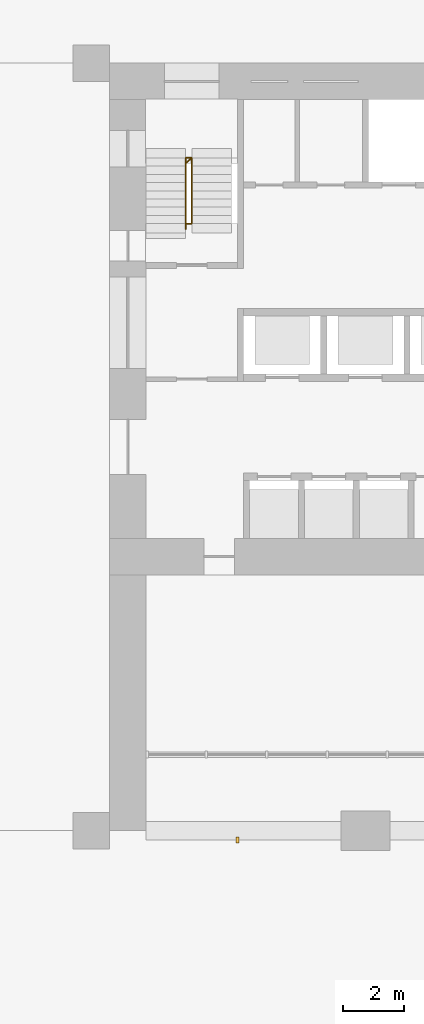
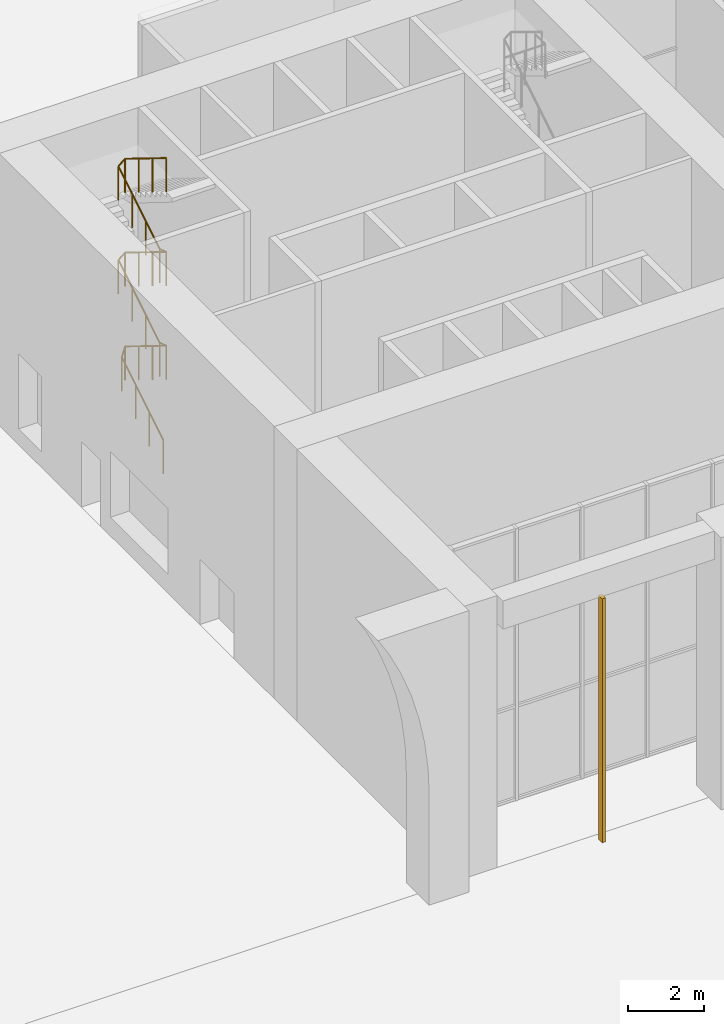
# One storey, part 35 of 46: 1 railing, 1 shading device.
"""IFC4 building model written with IfcOpenShell, lengths in metres."""

from ifc_helpers import new_model, si_unit, direction, frame, origin, origin_2d, place, context, subcontext, project, spatial, rectangle, circle, extrude, material, material_profile, profile_set, type_object, element, save


model = new_model("IFC4")

# Units and contexts
model_context = context("Model", 3, precision=1e-05, world=origin(), true_north=direction((0.0, 1.0)))
body_context = subcontext(model_context, "Body", "Model", "MODEL_VIEW")
ifc_project = project(units=[si_unit("LENGTHUNIT", "METRE"), si_unit("AREAUNIT", "SQUARE_METRE"), si_unit("VOLUMEUNIT", "CUBIC_METRE"), si_unit("PLANEANGLEUNIT", "RADIAN"), si_unit("MASSUNIT", "GRAM", prefix="KILO")], contexts=[model_context])

# Site, building, storey
site_placement = place(None, origin())
site = spatial("IfcSite", under=ifc_project, at=site_placement, CompositionType="ELEMENT")
building_placement = place(site_placement, origin())
building = spatial("IfcBuilding", under=site, at=building_placement, Name="Vermilion Gate Residences", CompositionType="ELEMENT")
storey_placement = place(building_placement, origin())
storey = spatial("IfcBuildingStorey", under=building, at=storey_placement, Name="L00", CompositionType="ELEMENT", Elevation=0.0)

# Railing
ifc_material_1 = material(Name="Steel S355", Category="steel")
railing_type = type_object("IfcRailingType", Name="STAIR GUARD 1100 STEEL", PredefinedType="GUARDRAIL", material=ifc_material_1)
railing_placement = place(storey_placement, frame((44.5, 19.75, 0.166748046875)))
element("IfcRailing", 1, at=railing_placement, inside=storey, type_object=railing_type, Name="Stair well guard STA1-00", PredefinedType="GUARDRAIL", context=body_context, shape_type="SweptSolid", body=[
    extrude(circle(Radius=0.02392578125, at=origin_2d()), frame((0.0, 0.0, 1.076171875), z_axis=(0.0, 0.850940886938, 0.525261465307), x_axis=(-1.0, 0.0, 0.0)), (0.0, 0.0, 1.0), 2.538330078125),
    extrude(circle(Radius=0.02392578125, at=origin_2d()), frame((0.0, 2.159912109375, 2.4091796875), z_axis=(0.631516338624, 0.56905867876, 0.52664915663), x_axis=(-0.669415636384, 0.74288808428, 0.0)), (0.0, 0.0, 1.0), 0.316650390625),
    extrude(circle(Radius=0.02392578125, at=origin_2d()), frame((0.199951171875, 2.340087890625, 2.576171875), z_axis=(0.0, -0.850967420841, 0.525218477081), x_axis=(1.0, 0.0, 0.0)), (0.0, 0.0, 1.0), 2.53857421875),
    extrude(circle(Radius=0.02392578125, at=origin_2d()), frame((0.199951171875, 0.179931640625, 3.9091796875), z_axis=(-0.767990643491, 0.0, 0.640461061666), x_axis=(0.0, -1.0, 0.0)), (0.0, 0.0, 1.0), 0.26025390625),
    extrude(circle(Radius=0.02392578125, at=origin_2d()), frame((0.0, 0.179931640625, 4.076171875), z_axis=(0.0, 0.850967420841, 0.525218477081), x_axis=(-1.0, 0.0, 0.0)), (0.0, 0.0, 1.0), 2.53857421875),
    extrude(circle(Radius=0.02392578125, at=origin_2d()), frame((0.0, 2.340087890625, 5.4091796875), z_axis=(0.767990643491, 0.0, 0.640461061666), x_axis=(0.0, 1.0, 0.0)), (0.0, 0.0, 1.0), 0.26025390625),
    extrude(circle(Radius=0.02392578125, at=origin_2d()), frame((0.199951171875, 2.340087890625, 5.576171875), z_axis=(0.0, -0.850967420841, 0.525218477081), x_axis=(1.0, 0.0, 0.0)), (0.0, 0.0, 1.0), 2.53857421875),
    extrude(circle(Radius=0.02392578125, at=origin_2d()), frame((0.199951171875, 0.179931640625, 6.9091796875), z_axis=(-0.767990643491, 0.0, 0.640461061666), x_axis=(0.0, -1.0, 0.0)), (0.0, 0.0, 1.0), 0.26025390625),
    extrude(circle(Radius=0.02392578125, at=origin_2d()), frame((0.0, 0.179931640625, 7.076171875), z_axis=(0.0, 0.850967420841, 0.525218477081), x_axis=(-1.0, 0.0, 0.0)), (0.0, 0.0, 1.0), 2.53857421875),
    extrude(circle(Radius=0.02392578125, at=origin_2d()), frame((0.0, 2.340087890625, 8.4091796875), z_axis=(0.767990643491, 0.0, 0.640461061666), x_axis=(0.0, 1.0, 0.0)), (0.0, 0.0, 1.0), 0.26025390625),
    extrude(circle(Radius=0.02392578125, at=origin_2d()), frame((0.199951171875, 2.340087890625, 8.576171875), z_axis=(0.0, -0.850967420841, 0.525218477081), x_axis=(1.0, 0.0, 0.0)), (0.0, 0.0, 1.0), 2.53857421875),
    extrude(circle(Radius=0.02099609375, at=origin_2d()), origin(), (0.0, 0.0, 1.0), 1.052001953125),
    extrude(circle(Radius=0.02099609375, at=origin_2d()), frame((0.0, 0.719970703125, 0.4443359375)), (0.0, 0.0, 1.0), 1.052001953125),
    extrude(circle(Radius=0.02099609375, at=origin_2d()), frame((0.0, 1.43994140625, 0.888916015625)), (0.0, 0.0, 1.0), 1.052001953125),
    extrude(circle(Radius=0.02099609375, at=origin_2d()), frame((0.0, 2.159912109375, 1.333251953125)), (0.0, 0.0, 1.0), 1.052001953125),
    extrude(circle(Radius=0.02099609375, at=origin_2d()), frame((0.199951171875, 2.340087890625, 1.5)), (0.0, 0.0, 1.0), 1.052001953125),
    extrude(circle(Radius=0.02099609375, at=origin_2d()), frame((0.199951171875, 1.6201171875, 1.9443359375)), (0.0, 0.0, 1.0), 1.052001953125),
    extrude(circle(Radius=0.02099609375, at=origin_2d()), frame((0.199951171875, 0.89990234375, 2.388916015625)), (0.0, 0.0, 1.0), 1.052001953125),
    extrude(circle(Radius=0.02099609375, at=origin_2d()), frame((0.199951171875, 0.179931640625, 2.833251953125)), (0.0, 0.0, 1.0), 1.052001953125),
    extrude(circle(Radius=0.02099609375, at=origin_2d()), frame((0.0, 0.179931640625, 3.0)), (0.0, 0.0, 1.0), 1.052001953125),
    extrude(circle(Radius=0.02099609375, at=origin_2d()), frame((0.0, 0.89990234375, 3.4443359375)), (0.0, 0.0, 1.0), 1.052001953125),
    extrude(circle(Radius=0.02099609375, at=origin_2d()), frame((0.0, 1.6201171875, 3.888916015625)), (0.0, 0.0, 1.0), 1.052001953125),
    extrude(circle(Radius=0.02099609375, at=origin_2d()), frame((0.0, 2.340087890625, 4.333251953125)), (0.0, 0.0, 1.0), 1.052001953125),
    extrude(circle(Radius=0.02099609375, at=origin_2d()), frame((0.199951171875, 2.340087890625, 4.5)), (0.0, 0.0, 1.0), 1.052001953125),
    extrude(circle(Radius=0.02099609375, at=origin_2d()), frame((0.199951171875, 1.6201171875, 4.9443359375)), (0.0, 0.0, 1.0), 1.052001953125),
    extrude(circle(Radius=0.02099609375, at=origin_2d()), frame((0.199951171875, 0.89990234375, 5.388916015625)), (0.0, 0.0, 1.0), 1.052001953125),
    extrude(circle(Radius=0.02099609375, at=origin_2d()), frame((0.199951171875, 0.179931640625, 5.833251953125)), (0.0, 0.0, 1.0), 1.052001953125),
    extrude(circle(Radius=0.02099609375, at=origin_2d()), frame((0.0, 0.179931640625, 6.0)), (0.0, 0.0, 1.0), 1.052001953125),
    extrude(circle(Radius=0.02099609375, at=origin_2d()), frame((0.0, 0.89990234375, 6.4443359375)), (0.0, 0.0, 1.0), 1.052001953125),
    extrude(circle(Radius=0.02099609375, at=origin_2d()), frame((0.0, 1.6201171875, 6.888916015625)), (0.0, 0.0, 1.0), 1.052001953125),
    extrude(circle(Radius=0.02099609375, at=origin_2d()), frame((0.0, 2.340087890625, 7.333251953125)), (0.0, 0.0, 1.0), 1.052001953125),
    extrude(circle(Radius=0.02099609375, at=origin_2d()), frame((0.199951171875, 2.340087890625, 7.5)), (0.0, 0.0, 1.0), 1.052001953125),
    extrude(circle(Radius=0.02099609375, at=origin_2d()), frame((0.199951171875, 1.6201171875, 7.9443359375)), (0.0, 0.0, 1.0), 1.052001953125),
    extrude(circle(Radius=0.02099609375, at=origin_2d()), frame((0.199951171875, 0.89990234375, 8.388916015625)), (0.0, 0.0, 1.0), 1.052001953125),
    extrude(circle(Radius=0.02099609375, at=origin_2d()), frame((0.199951171875, 0.179931640625, 8.833251953125)), (0.0, 0.0, 1.0), 1.052001953125),
])

# Shading device
ifc_material_2 = material(Name="Extruded terracotta", Category="masonry")
ifc_material_profile = material_profile(ifc_material_2, rectangle(XDim=0.199951171875, YDim=0.10009765625, at=origin_2d()), Name="BAGUETTE 100 X 200")
ifc_profile_set = profile_set([ifc_material_profile], Name="Extruded terracotta")
shading_device_type = type_object("IfcShadingDeviceType", Name="TERRACOTTA BAGUETTE 100 X 200", PredefinedType="JALOUSIE", material=ifc_profile_set)
shading_device_placement = place(storey_placement, frame((46.199951171875, -0.300048828125, 0.0), z_axis=(0.0, 0.0, 1.0), x_axis=(0.0, 1.0, 0.0)))
element("IfcShadingDevice", 2, at=shading_device_placement, inside=storey, type_object=shading_device_type, Name="BAGUETTE", PredefinedType="JALOUSIE", context=body_context, shape_type="SweptSolid", body=[
    extrude(rectangle(XDim=0.199951171875, YDim=0.10009765625, at=origin_2d()), origin(), (0.0, 0.0, 1.0), 7.800048828125),
])

save(model, "model.ifc")
